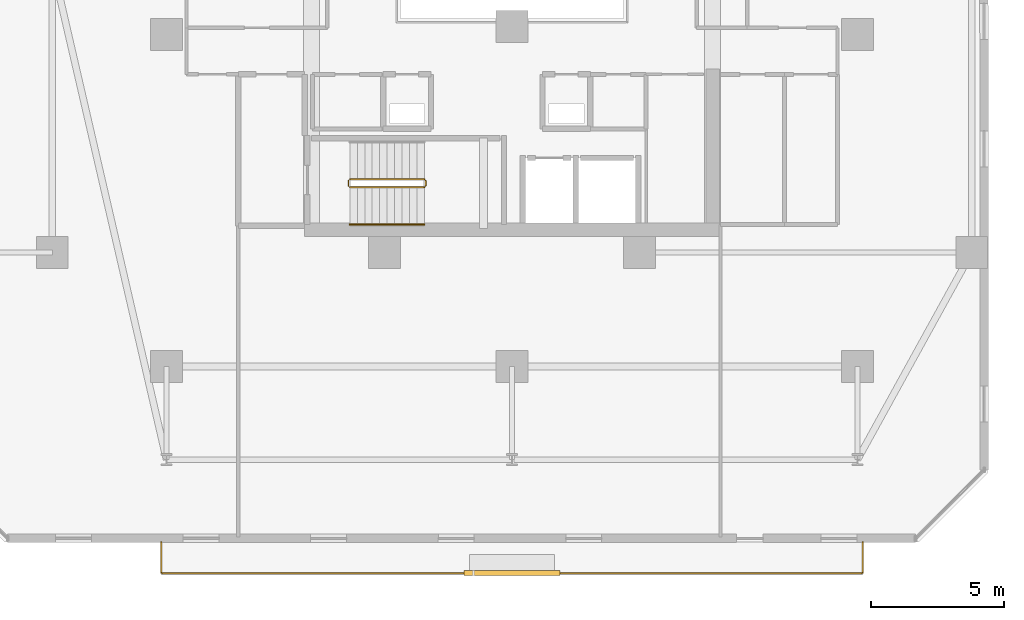
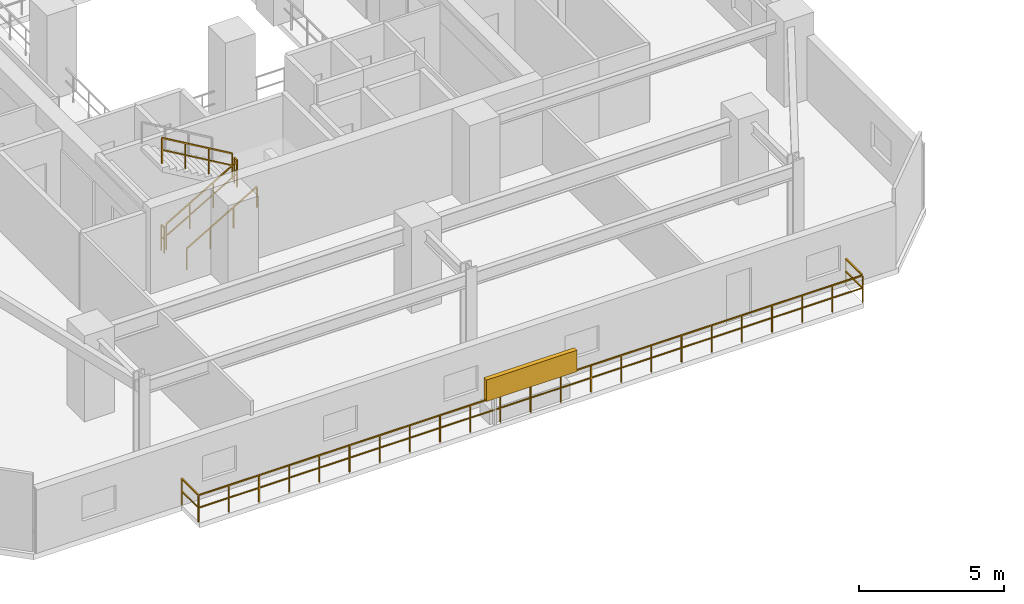
# One storey, part 30 of 34: 6 railings, 1 shading device.
"""IFC4 building model written with IfcOpenShell, lengths in metres."""

from ifc_helpers import new_model, si_unit, direction, frame, origin, origin_2d, place, context, subcontext, project, spatial, rectangle, extrude, material, type_object, element, save


model = new_model("IFC4")

# Units and contexts
model_context = context("Model", 3, precision=1e-05, world=origin(), true_north=direction((0.0, 1.0)))
body_context = subcontext(model_context, "Body", "Model", "MODEL_VIEW")
ifc_project = project(units=[si_unit("LENGTHUNIT", "METRE"), si_unit("AREAUNIT", "SQUARE_METRE"), si_unit("VOLUMEUNIT", "CUBIC_METRE"), si_unit("PLANEANGLEUNIT", "RADIAN"), si_unit("MASSUNIT", "GRAM", prefix="KILO")], contexts=[model_context])

# Site, building, storey
site_placement = place(None, origin())
site = spatial("IfcSite", under=ifc_project, at=site_placement, CompositionType="ELEMENT")
building_placement = place(site_placement, origin())
building = spatial("IfcBuilding", under=site, at=building_placement, Name="Thornwick Lancets Civic Towers", CompositionType="ELEMENT")
storey_placement = place(building_placement, frame((0.0, 0.0, 137.699951171875)))
storey = spatial("IfcBuildingStorey", under=building, at=storey_placement, Name="L36", CompositionType="ELEMENT", Elevation=137.699951171875)

# Railings
ifc_material_1 = material(Name="Brushed stainless steel S355", Category="steel")
railing_type_1 = type_object("IfcRailingType", Name="RAIL_HANDRAIL", PredefinedType="HANDRAIL", material=ifc_material_1)
railing_1_placement = place(storey_placement, frame((19.39990234375, 15.050048828125, 0.16357421875)))
element("IfcRailing", 1, at=railing_1_placement, inside=storey, type_object=railing_type_1, Name="L36 ST-A1 stair handrail 1", PredefinedType="HANDRAIL", context=body_context, shape_type="SweptSolid", body=[
    extrude(rectangle(XDim=0.048095703125, YDim=0.048095703125, at=origin_2d()), frame((0.0, 0.0, 0.8857421875), z_axis=(0.863360870873, 0.0, 0.504586966384), x_axis=(0.0, 1.0, 0.0)), (0.0, 0.0, 1.0), 3.2431640625),
    extrude(rectangle(XDim=0.0419921875, YDim=0.0419921875, at=origin_2d()), origin(), (0.0, 0.0, 1.0), 0.855712890625),
    extrude(rectangle(XDim=0.0419921875, YDim=0.0419921875, at=origin_2d()), frame((0.933349609375, 0.0, 0.54541015625)), (0.0, 0.0, 1.0), 0.855712890625),
    extrude(rectangle(XDim=0.0419921875, YDim=0.0419921875, at=origin_2d()), frame((1.86669921875, 0.0, 1.091064453125)), (0.0, 0.0, 1.0), 0.855712890625),
    extrude(rectangle(XDim=0.0419921875, YDim=0.0419921875, at=origin_2d()), frame((2.800048828125, 0.0, 1.636474609375)), (0.0, 0.0, 1.0), 0.855712890625),
])
ifc_material_2 = material(Name="Steel S355JR", Category="steel")
railing_type_2 = type_object("IfcRailingType", Name="RAIL_STAIR_GUARD", PredefinedType="GUARDRAIL", material=ifc_material_2)
railing_2_placement = place(storey_placement, frame((19.39990234375, 16.449951171875, 0.16357421875)))
element("IfcRailing", 2, at=railing_2_placement, inside=storey, type_object=railing_type_2, Name="L36 ST-A1 stair guard 1", PredefinedType="GUARDRAIL", context=body_context, shape_type="SweptSolid", body=[
    extrude(rectangle(XDim=0.048095703125, YDim=0.048095703125, at=origin_2d()), frame((0.0, 0.0, 1.076171875), z_axis=(0.863360870873, 0.0, 0.504586966384), x_axis=(0.0, 1.0, 0.0)), (0.0, 0.0, 1.0), 3.2431640625),
    extrude(rectangle(XDim=0.0419921875, YDim=0.0419921875, at=origin_2d()), frame((0.032470703125, 0.0, 0.591064453125), z_axis=(0.863360870873, 0.0, 0.504586966384), x_axis=(0.0, 1.0, 0.0)), (0.0, 0.0, 1.0), 1.006103515625),
    extrude(rectangle(XDim=0.0419921875, YDim=0.0419921875, at=origin_2d()), frame((0.9658203125, 0.0, 1.136474609375), z_axis=(0.863360870873, 0.0, 0.504586966384), x_axis=(0.0, 1.0, 0.0)), (0.0, 0.0, 1.0), 1.006103515625),
    extrude(rectangle(XDim=0.0419921875, YDim=0.0419921875, at=origin_2d()), frame((1.899169921875, 0.0, 1.681884765625), z_axis=(0.863360870873, 0.0, 0.504586966384), x_axis=(0.0, 1.0, 0.0)), (0.0, 0.0, 1.0), 1.006103515625),
    extrude(rectangle(XDim=0.0419921875, YDim=0.0419921875, at=origin_2d()), origin(), (0.0, 0.0, 1.0), 1.0458984375),
    extrude(rectangle(XDim=0.0419921875, YDim=0.0419921875, at=origin_2d()), frame((0.933349609375, 0.0, 0.54541015625)), (0.0, 0.0, 1.0), 1.0458984375),
    extrude(rectangle(XDim=0.0419921875, YDim=0.0419921875, at=origin_2d()), frame((1.86669921875, 0.0, 1.091064453125)), (0.0, 0.0, 1.0), 1.0458984375),
    extrude(rectangle(XDim=0.0419921875, YDim=0.0419921875, at=origin_2d()), frame((2.800048828125, 0.0, 1.636474609375)), (0.0, 0.0, 1.0), 1.0458984375),
])
railing_3_placement = place(storey_placement, frame((22.25, 16.5, 1.800048828125)))
element("IfcRailing", 3, at=railing_3_placement, inside=storey, type_object=railing_type_2, Name="L36 ST-A1 stair guard 2", PredefinedType="GUARDRAIL", context=body_context, shape_type="SweptSolid", body=[
    extrude(rectangle(XDim=0.048095703125, YDim=0.048095703125, at=origin_2d()), frame((0.0, 0.0, 1.076171875), z_axis=(0.0, 1.0, 0.0), x_axis=(-1.0, 0.0, 0.0)), (0.0, 0.0, 1.0), 0.199951171875),
    extrude(rectangle(XDim=0.0419921875, YDim=0.0419921875, at=origin_2d()), frame((0.0, 0.03759765625, 0.572021484375), z_axis=(0.0, 1.0, 0.0), x_axis=(-1.0, 0.0, 0.0)), (0.0, 0.0, 1.0), 0.125),
    extrude(rectangle(XDim=0.0419921875, YDim=0.0419921875, at=origin_2d()), origin(), (0.0, 0.0, 1.0), 1.0458984375),
    extrude(rectangle(XDim=0.0419921875, YDim=0.0419921875, at=origin_2d()), frame((0.0, 0.199951171875, 0.0)), (0.0, 0.0, 1.0), 1.0458984375),
])
railing_4_placement = place(storey_placement, frame((22.199951171875, 16.75, 1.963623046875)))
element("IfcRailing", 4, at=railing_4_placement, inside=storey, type_object=railing_type_2, Name="L36 ST-A1 stair guard 3", PredefinedType="GUARDRAIL", context=body_context, shape_type="SweptSolid", body=[
    extrude(rectangle(XDim=0.048095703125, YDim=0.048095703125, at=origin_2d()), frame((0.0, 0.0, 1.076171875), z_axis=(-0.863360870873, 0.0, 0.504586966384), x_axis=(0.0, -1.0, 0.0)), (0.0, 0.0, 1.0), 3.2431640625),
    extrude(rectangle(XDim=0.0419921875, YDim=0.0419921875, at=origin_2d()), frame((-0.032470703125, 0.0, 0.591064453125), z_axis=(-0.863360870873, 0.0, 0.504586966384), x_axis=(0.0, -1.0, 0.0)), (0.0, 0.0, 1.0), 1.006103515625),
    extrude(rectangle(XDim=0.0419921875, YDim=0.0419921875, at=origin_2d()), frame((-0.9658203125, 0.0, 1.136474609375), z_axis=(-0.863360870873, 0.0, 0.504586966384), x_axis=(0.0, -1.0, 0.0)), (0.0, 0.0, 1.0), 1.006103515625),
    extrude(rectangle(XDim=0.0419921875, YDim=0.0419921875, at=origin_2d()), frame((-1.899169921875, 0.0, 1.681884765625), z_axis=(-0.863360870873, 0.0, 0.504586966384), x_axis=(0.0, -1.0, 0.0)), (0.0, 0.0, 1.0), 1.006103515625),
    extrude(rectangle(XDim=0.0419921875, YDim=0.0419921875, at=origin_2d()), origin(), (0.0, 0.0, 1.0), 1.0458984375),
    extrude(rectangle(XDim=0.0419921875, YDim=0.0419921875, at=origin_2d()), frame((-0.933349609375, 0.0, 0.54541015625)), (0.0, 0.0, 1.0), 1.0458984375),
    extrude(rectangle(XDim=0.0419921875, YDim=0.0419921875, at=origin_2d()), frame((-1.86669921875, 0.0, 1.091064453125)), (0.0, 0.0, 1.0), 1.0458984375),
    extrude(rectangle(XDim=0.0419921875, YDim=0.0419921875, at=origin_2d()), frame((-2.800048828125, 0.0, 1.636474609375)), (0.0, 0.0, 1.0), 1.0458984375),
])
railing_5_placement = place(storey_placement, frame((19.35009765625, 16.5, 0.0)))
element("IfcRailing", 5, at=railing_5_placement, inside=storey, type_object=railing_type_2, Name="L36 ST-A1 stair guard 4", PredefinedType="GUARDRAIL", context=body_context, shape_type="SweptSolid", body=[
    extrude(rectangle(XDim=0.048095703125, YDim=0.048095703125, at=origin_2d()), frame((0.0, 0.0, 1.076171875), z_axis=(0.0, 1.0, 0.0), x_axis=(-1.0, 0.0, 0.0)), (0.0, 0.0, 1.0), 0.199951171875),
    extrude(rectangle(XDim=0.0419921875, YDim=0.0419921875, at=origin_2d()), frame((0.0, 0.03759765625, 0.572021484375), z_axis=(0.0, 1.0, 0.0), x_axis=(-1.0, 0.0, 0.0)), (0.0, 0.0, 1.0), 0.125),
    extrude(rectangle(XDim=0.0419921875, YDim=0.0419921875, at=origin_2d()), origin(), (0.0, 0.0, 1.0), 1.0458984375),
    extrude(rectangle(XDim=0.0419921875, YDim=0.0419921875, at=origin_2d()), frame((0.0, 0.199951171875, 0.0)), (0.0, 0.0, 1.0), 1.0458984375),
])
ifc_material_3 = material(Name="Terracotta-capped laminated glass balustrade S355", Category="masonry")
railing_type_3 = type_object("IfcRailingType", Name="RAIL_TERR_GUARD", PredefinedType="GUARDRAIL", material=ifc_material_3)
railing_6_placement = place(storey_placement, frame((12.300048828125, 3.10009765625, 0.0)))
element("IfcRailing", 6, at=railing_6_placement, inside=storey, type_object=railing_type_3, Name="L36 Tower A Balcony Guard S", PredefinedType="GUARDRAIL", context=body_context, shape_type="SweptSolid", body=[
    extrude(rectangle(XDim=0.048095703125, YDim=0.048095703125, at=origin_2d()), frame((0.0, 0.0, 1.1259765625), z_axis=(0.0, -1.0, 0.0), x_axis=(1.0, 0.0, 0.0)), (0.0, 0.0, 1.0), 1.138916015625),
    extrude(rectangle(XDim=0.0419921875, YDim=0.0419921875, at=origin_2d()), frame((0.0, -0.03759765625, 0.597900390625), z_axis=(0.0, -1.0, 0.0), x_axis=(1.0, 0.0, 0.0)), (0.0, 0.0, 1.0), 1.09521484375),
    extrude(rectangle(XDim=0.048095703125, YDim=0.048095703125, at=origin_2d()), frame((0.03125, -1.170166015625, 1.1259765625), z_axis=(1.0, 0.0, 0.0), x_axis=(0.0, 1.0, 0.0)), (0.0, 0.0, 1.0), 26.33740234375),
    extrude(rectangle(XDim=0.0419921875, YDim=0.0419921875, at=origin_2d()), frame((0.03759765625, -1.170166015625, 0.597900390625), z_axis=(1.0, 0.0, 0.0), x_axis=(0.0, 1.0, 0.0)), (0.0, 0.0, 1.0), 1.125),
    extrude(rectangle(XDim=0.0419921875, YDim=0.0419921875, at=origin_2d()), frame((1.237548828125, -1.170166015625, 0.597900390625), z_axis=(1.0, 0.0, 0.0), x_axis=(0.0, 1.0, 0.0)), (0.0, 0.0, 1.0), 1.125),
    extrude(rectangle(XDim=0.0419921875, YDim=0.0419921875, at=origin_2d()), frame((2.4375, -1.170166015625, 0.597900390625), z_axis=(1.0, 0.0, 0.0), x_axis=(0.0, 1.0, 0.0)), (0.0, 0.0, 1.0), 1.125),
    extrude(rectangle(XDim=0.0419921875, YDim=0.0419921875, at=origin_2d()), frame((3.637451171875, -1.170166015625, 0.597900390625), z_axis=(1.0, 0.0, 0.0), x_axis=(0.0, 1.0, 0.0)), (0.0, 0.0, 1.0), 1.125),
    extrude(rectangle(XDim=0.0419921875, YDim=0.0419921875, at=origin_2d()), frame((4.83740234375, -1.170166015625, 0.597900390625), z_axis=(1.0, 0.0, 0.0), x_axis=(0.0, 1.0, 0.0)), (0.0, 0.0, 1.0), 1.125),
    extrude(rectangle(XDim=0.0419921875, YDim=0.0419921875, at=origin_2d()), frame((6.037353515625, -1.170166015625, 0.597900390625), z_axis=(1.0, 0.0, 0.0), x_axis=(0.0, 1.0, 0.0)), (0.0, 0.0, 1.0), 1.125),
    extrude(rectangle(XDim=0.0419921875, YDim=0.0419921875, at=origin_2d()), frame((7.237548828125, -1.170166015625, 0.597900390625), z_axis=(1.0, 0.0, 0.0), x_axis=(0.0, 1.0, 0.0)), (0.0, 0.0, 1.0), 1.125),
    extrude(rectangle(XDim=0.0419921875, YDim=0.0419921875, at=origin_2d()), frame((8.4375, -1.170166015625, 0.597900390625), z_axis=(1.0, 0.0, 0.0), x_axis=(0.0, 1.0, 0.0)), (0.0, 0.0, 1.0), 1.125),
    extrude(rectangle(XDim=0.0419921875, YDim=0.0419921875, at=origin_2d()), frame((9.637451171875, -1.170166015625, 0.597900390625), z_axis=(1.0, 0.0, 0.0), x_axis=(0.0, 1.0, 0.0)), (0.0, 0.0, 1.0), 1.125),
    extrude(rectangle(XDim=0.0419921875, YDim=0.0419921875, at=origin_2d()), frame((10.83740234375, -1.170166015625, 0.597900390625), z_axis=(1.0, 0.0, 0.0), x_axis=(0.0, 1.0, 0.0)), (0.0, 0.0, 1.0), 1.125),
    extrude(rectangle(XDim=0.0419921875, YDim=0.0419921875, at=origin_2d()), frame((12.037353515625, -1.170166015625, 0.597900390625), z_axis=(1.0, 0.0, 0.0), x_axis=(0.0, 1.0, 0.0)), (0.0, 0.0, 1.0), 1.125),
    extrude(rectangle(XDim=0.0419921875, YDim=0.0419921875, at=origin_2d()), frame((13.237548828125, -1.170166015625, 0.597900390625), z_axis=(1.0, 0.0, 0.0), x_axis=(0.0, 1.0, 0.0)), (0.0, 0.0, 1.0), 1.125),
    extrude(rectangle(XDim=0.0419921875, YDim=0.0419921875, at=origin_2d()), frame((14.4375, -1.170166015625, 0.597900390625), z_axis=(1.0, 0.0, 0.0), x_axis=(0.0, 1.0, 0.0)), (0.0, 0.0, 1.0), 1.125),
    extrude(rectangle(XDim=0.0419921875, YDim=0.0419921875, at=origin_2d()), frame((15.637451171875, -1.170166015625, 0.597900390625), z_axis=(1.0, 0.0, 0.0), x_axis=(0.0, 1.0, 0.0)), (0.0, 0.0, 1.0), 1.125),
    extrude(rectangle(XDim=0.0419921875, YDim=0.0419921875, at=origin_2d()), frame((16.83740234375, -1.170166015625, 0.597900390625), z_axis=(1.0, 0.0, 0.0), x_axis=(0.0, 1.0, 0.0)), (0.0, 0.0, 1.0), 1.125),
    extrude(rectangle(XDim=0.0419921875, YDim=0.0419921875, at=origin_2d()), frame((18.037353515625, -1.170166015625, 0.597900390625), z_axis=(1.0, 0.0, 0.0), x_axis=(0.0, 1.0, 0.0)), (0.0, 0.0, 1.0), 1.125),
    extrude(rectangle(XDim=0.0419921875, YDim=0.0419921875, at=origin_2d()), frame((19.2373046875, -1.170166015625, 0.597900390625), z_axis=(1.0, 0.0, 0.0), x_axis=(0.0, 1.0, 0.0)), (0.0, 0.0, 1.0), 1.125),
    extrude(rectangle(XDim=0.0419921875, YDim=0.0419921875, at=origin_2d()), frame((20.4375, -1.170166015625, 0.597900390625), z_axis=(1.0, 0.0, 0.0), x_axis=(0.0, 1.0, 0.0)), (0.0, 0.0, 1.0), 1.125),
    extrude(rectangle(XDim=0.0419921875, YDim=0.0419921875, at=origin_2d()), frame((21.637451171875, -1.170166015625, 0.597900390625), z_axis=(1.0, 0.0, 0.0), x_axis=(0.0, 1.0, 0.0)), (0.0, 0.0, 1.0), 1.125),
    extrude(rectangle(XDim=0.0419921875, YDim=0.0419921875, at=origin_2d()), frame((22.83740234375, -1.170166015625, 0.597900390625), z_axis=(1.0, 0.0, 0.0), x_axis=(0.0, 1.0, 0.0)), (0.0, 0.0, 1.0), 1.125),
    extrude(rectangle(XDim=0.0419921875, YDim=0.0419921875, at=origin_2d()), frame((24.037353515625, -1.170166015625, 0.597900390625), z_axis=(1.0, 0.0, 0.0), x_axis=(0.0, 1.0, 0.0)), (0.0, 0.0, 1.0), 1.125),
    extrude(rectangle(XDim=0.0419921875, YDim=0.0419921875, at=origin_2d()), frame((25.2373046875, -1.170166015625, 0.597900390625), z_axis=(1.0, 0.0, 0.0), x_axis=(0.0, 1.0, 0.0)), (0.0, 0.0, 1.0), 1.125),
    extrude(rectangle(XDim=0.048095703125, YDim=0.048095703125, at=origin_2d()), frame((26.39990234375, -1.138916015625, 1.1259765625), z_axis=(0.0, 1.0, 0.0), x_axis=(-1.0, 0.0, 0.0)), (0.0, 0.0, 1.0), 1.138916015625),
    extrude(rectangle(XDim=0.0419921875, YDim=0.0419921875, at=origin_2d()), frame((26.39990234375, -1.132568359375, 0.597900390625), z_axis=(0.0, 1.0, 0.0), x_axis=(-1.0, 0.0, 0.0)), (0.0, 0.0, 1.0), 1.09521484375),
    extrude(rectangle(XDim=0.0419921875, YDim=0.0419921875, at=origin_2d()), origin(), (0.0, 0.0, 1.0), 1.095703125),
    extrude(rectangle(XDim=0.0419921875, YDim=0.0419921875, at=origin_2d()), frame((0.0, -1.170166015625, 0.0)), (0.0, 0.0, 1.0), 1.095703125),
    extrude(rectangle(XDim=0.0419921875, YDim=0.0419921875, at=origin_2d()), frame((1.199951171875, -1.170166015625, 0.0)), (0.0, 0.0, 1.0), 1.095703125),
    extrude(rectangle(XDim=0.0419921875, YDim=0.0419921875, at=origin_2d()), frame((2.39990234375, -1.170166015625, 0.0)), (0.0, 0.0, 1.0), 1.095703125),
    extrude(rectangle(XDim=0.0419921875, YDim=0.0419921875, at=origin_2d()), frame((3.60009765625, -1.170166015625, 0.0)), (0.0, 0.0, 1.0), 1.095703125),
    extrude(rectangle(XDim=0.0419921875, YDim=0.0419921875, at=origin_2d()), frame((4.800048828125, -1.170166015625, 0.0)), (0.0, 0.0, 1.0), 1.095703125),
    extrude(rectangle(XDim=0.0419921875, YDim=0.0419921875, at=origin_2d()), frame((6.0, -1.170166015625, 0.0)), (0.0, 0.0, 1.0), 1.095703125),
    extrude(rectangle(XDim=0.0419921875, YDim=0.0419921875, at=origin_2d()), frame((7.199951171875, -1.170166015625, 0.0)), (0.0, 0.0, 1.0), 1.095703125),
    extrude(rectangle(XDim=0.0419921875, YDim=0.0419921875, at=origin_2d()), frame((8.39990234375, -1.170166015625, 0.0)), (0.0, 0.0, 1.0), 1.095703125),
    extrude(rectangle(XDim=0.0419921875, YDim=0.0419921875, at=origin_2d()), frame((9.599853515625, -1.170166015625, 0.0)), (0.0, 0.0, 1.0), 1.095703125),
    extrude(rectangle(XDim=0.0419921875, YDim=0.0419921875, at=origin_2d()), frame((10.800048828125, -1.170166015625, 0.0)), (0.0, 0.0, 1.0), 1.095703125),
    extrude(rectangle(XDim=0.0419921875, YDim=0.0419921875, at=origin_2d()), frame((12.0, -1.170166015625, 0.0)), (0.0, 0.0, 1.0), 1.095703125),
    extrude(rectangle(XDim=0.0419921875, YDim=0.0419921875, at=origin_2d()), frame((13.199951171875, -1.170166015625, 0.0)), (0.0, 0.0, 1.0), 1.095703125),
    extrude(rectangle(XDim=0.0419921875, YDim=0.0419921875, at=origin_2d()), frame((14.39990234375, -1.170166015625, 0.0)), (0.0, 0.0, 1.0), 1.095703125),
    extrude(rectangle(XDim=0.0419921875, YDim=0.0419921875, at=origin_2d()), frame((15.599853515625, -1.170166015625, 0.0)), (0.0, 0.0, 1.0), 1.095703125),
    extrude(rectangle(XDim=0.0419921875, YDim=0.0419921875, at=origin_2d()), frame((16.800048828125, -1.170166015625, 0.0)), (0.0, 0.0, 1.0), 1.095703125),
    extrude(rectangle(XDim=0.0419921875, YDim=0.0419921875, at=origin_2d()), frame((18.0, -1.170166015625, 0.0)), (0.0, 0.0, 1.0), 1.095703125),
    extrude(rectangle(XDim=0.0419921875, YDim=0.0419921875, at=origin_2d()), frame((19.199951171875, -1.170166015625, 0.0)), (0.0, 0.0, 1.0), 1.095703125),
    extrude(rectangle(XDim=0.0419921875, YDim=0.0419921875, at=origin_2d()), frame((20.39990234375, -1.170166015625, 0.0)), (0.0, 0.0, 1.0), 1.095703125),
    extrude(rectangle(XDim=0.0419921875, YDim=0.0419921875, at=origin_2d()), frame((21.599853515625, -1.170166015625, 0.0)), (0.0, 0.0, 1.0), 1.095703125),
    extrude(rectangle(XDim=0.0419921875, YDim=0.0419921875, at=origin_2d()), frame((22.7998046875, -1.170166015625, 0.0)), (0.0, 0.0, 1.0), 1.095703125),
    extrude(rectangle(XDim=0.0419921875, YDim=0.0419921875, at=origin_2d()), frame((24.0, -1.170166015625, 0.0)), (0.0, 0.0, 1.0), 1.095703125),
    extrude(rectangle(XDim=0.0419921875, YDim=0.0419921875, at=origin_2d()), frame((25.199951171875, -1.170166015625, 0.0)), (0.0, 0.0, 1.0), 1.095703125),
    extrude(rectangle(XDim=0.0419921875, YDim=0.0419921875, at=origin_2d()), frame((26.39990234375, -1.170166015625, 0.0)), (0.0, 0.0, 1.0), 1.095703125),
    extrude(rectangle(XDim=0.0419921875, YDim=0.0419921875, at=origin_2d()), frame((26.39990234375, 0.0, 0.0)), (0.0, 0.0, 1.0), 1.095703125),
])

# Shading device
ifc_material_4 = material(Name="Extruded terracotta baguette solar screen", Category="masonry")
shading_device_type = type_object("IfcShadingDeviceType", Name="SHADE_BAGUETTE", PredefinedType="JALOUSIE", material=ifc_material_4)
shading_device_placement = place(storey_placement, frame((25.5, 1.93994140625, 1.1201171875), z_axis=(0.0, 0.0, 1.0), x_axis=(1.0, 0.0, 0.0)))
element("IfcShadingDevice", 7, at=shading_device_placement, inside=storey, type_object=shading_device_type, Name="L36 Tower A Terracotta Baguette Screen S", PredefinedType="JALOUSIE", context=body_context, shape_type="SweptSolid", body=[
    extrude(rectangle(XDim=3.60009765625, YDim=0.179931640625, at=origin_2d()), origin(), (0.0, 0.0, 1.0), 0.89990234375),
])

save(model, "model.ifc")
